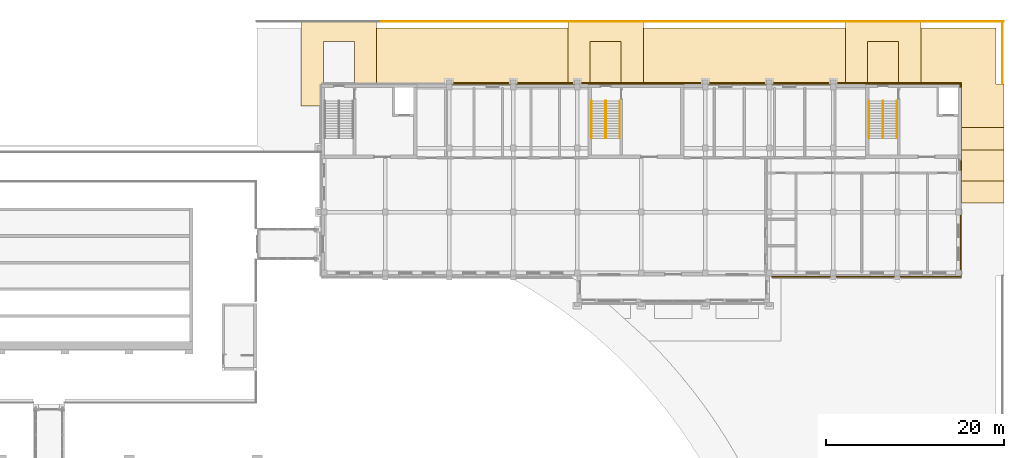
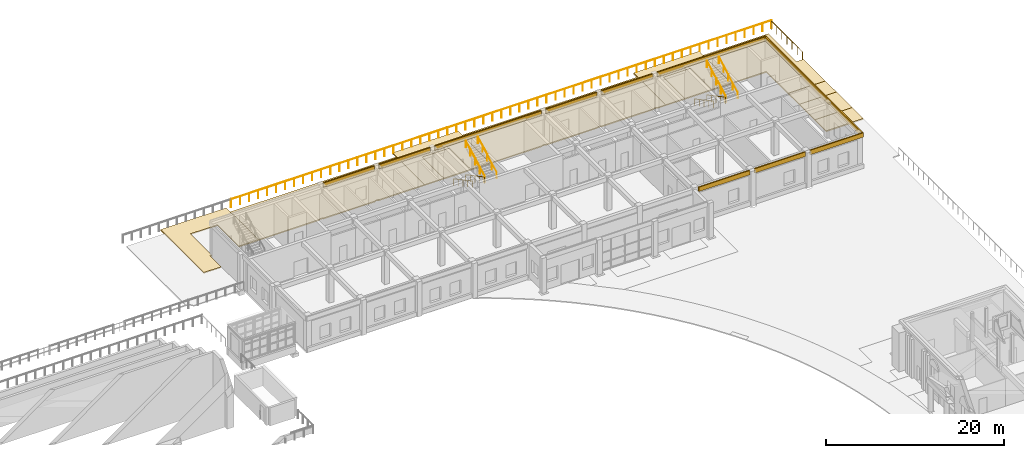
# One storey, part 130 of 131: 21 coverings, 14 railings.
"""IFC4 building model written with IfcOpenShell, lengths in metres."""

from ifc_helpers import new_model, si_unit, direction, frame, frame_2d, origin, origin_2d, place, context, subcontext, project, spatial, polyline, rectangle, circle, outline, extrude, material, layer, layer_set, type_object, element, save


model = new_model("IFC4")

# Units and contexts
model_context = context("Model", 3, precision=1e-05, world=origin(), true_north=direction((0.0, 1.0)))
body_context = subcontext(model_context, "Body", "Model", "MODEL_VIEW")
ifc_project = project(units=[si_unit("LENGTHUNIT", "METRE"), si_unit("AREAUNIT", "SQUARE_METRE"), si_unit("VOLUMEUNIT", "CUBIC_METRE"), si_unit("PLANEANGLEUNIT", "RADIAN"), si_unit("MASSUNIT", "GRAM", prefix="KILO")], contexts=[model_context])

# Site, building, storey
site_placement = place(None, origin())
site = spatial("IfcSite", under=ifc_project, at=site_placement, CompositionType="ELEMENT")
building_placement = place(site_placement, origin())
building = spatial("IfcBuilding", under=site, at=building_placement, Name="Alderwick Market Hall", CompositionType="ELEMENT")
storey_placement = place(building_placement, frame((0.0, 0.0, 4.800048828125)))
storey = spatial("IfcBuildingStorey", under=building, at=storey_placement, Name="L00", CompositionType="ELEMENT", Elevation=4.800048828125)

# Railings
ifc_material_1 = material(Name="Steel ASTM A500 Grade C", Category="steel")
railing_type_1 = type_object("IfcRailingType", Name="F Stair Handrail 900", PredefinedType="HANDRAIL", material=ifc_material_1)
for number, where, name in (
    (1, (188.820068359375, 149.300048828125, 0.14990234375), "F.rail.L00.B.1"),
    (2, (190.3798828125, 149.300048828125, 0.14990234375), "F.rail.L00.B.2"),
):
    element("IfcRailing", number, at=place(storey_placement, frame(where)), inside=storey, type_object=railing_type_1, Name=name, PredefinedType="HANDRAIL", context=body_context, shape_type="SweptSolid", body=[
        extrude(circle(Radius=0.02392578125, at=origin_2d()), frame((0.0, 0.0, 0.8759765625), z_axis=(0.0, -0.881477684796, 0.472225678258), x_axis=(1.0, 0.0, 0.0)), (0.0, 0.0, 1.0), 4.7646484375),
        extrude(circle(Radius=0.02099609375, at=origin_2d()), origin(), (0.0, 0.0, 1.0), 0.851806640625),
        extrude(circle(Radius=0.02099609375, at=origin_2d()), frame((0.0, -1.050048828125, 0.5625)), (0.0, 0.0, 1.0), 0.851806640625),
        extrude(circle(Radius=0.02099609375, at=origin_2d()), frame((0.0, -2.10009765625, 1.125)), (0.0, 0.0, 1.0), 0.851806640625),
        extrude(circle(Radius=0.02099609375, at=origin_2d()), frame((0.0, -3.14990234375, 1.6875)), (0.0, 0.0, 1.0), 0.851806640625),
        extrude(circle(Radius=0.02099609375, at=origin_2d()), frame((0.0, -4.199951171875, 2.25)), (0.0, 0.0, 1.0), 0.851806640625),
    ])
for number, where, name in (
    (3, (190.419921875, 145.10009765625, 2.550048828125), "F.rail.L00.B.3"),
    (4, (191.97998046875, 145.10009765625, 2.550048828125), "F.rail.L00.B.4"),
):
    element("IfcRailing", number, at=place(storey_placement, frame(where)), inside=storey, type_object=railing_type_1, Name=name, PredefinedType="HANDRAIL", context=body_context, shape_type="SweptSolid", body=[
        extrude(circle(Radius=0.02392578125, at=origin_2d()), frame((0.0, 0.0, 0.8759765625), z_axis=(0.0, 0.881477684796, 0.472225678258), x_axis=(-1.0, 0.0, 0.0)), (0.0, 0.0, 1.0), 4.7646484375),
        extrude(circle(Radius=0.02099609375, at=origin_2d()), origin(), (0.0, 0.0, 1.0), 0.851806640625),
        extrude(circle(Radius=0.02099609375, at=origin_2d()), frame((0.0, 1.050048828125, 0.5625)), (0.0, 0.0, 1.0), 0.851806640625),
        extrude(circle(Radius=0.02099609375, at=origin_2d()), frame((0.0, 2.10009765625, 1.125)), (0.0, 0.0, 1.0), 0.851806640625),
        extrude(circle(Radius=0.02099609375, at=origin_2d()), frame((0.0, 3.14990234375, 1.6875)), (0.0, 0.0, 1.0), 0.851806640625),
        extrude(circle(Radius=0.02099609375, at=origin_2d()), frame((0.0, 4.199951171875, 2.25)), (0.0, 0.0, 1.0), 0.851806640625),
    ])
for number, where, name in (
    (5, (220.02001953125, 149.300048828125, 0.14990234375), "F.rail.L00.C.1"),
    (6, (221.580078125, 149.300048828125, 0.14990234375), "F.rail.L00.C.2"),
):
    element("IfcRailing", number, at=place(storey_placement, frame(where)), inside=storey, type_object=railing_type_1, Name=name, PredefinedType="HANDRAIL", context=body_context, shape_type="SweptSolid", body=[
        extrude(circle(Radius=0.02392578125, at=origin_2d()), frame((0.0, 0.0, 0.8759765625), z_axis=(0.0, -0.881477684796, 0.472225678258), x_axis=(1.0, 0.0, 0.0)), (0.0, 0.0, 1.0), 4.7646484375),
        extrude(circle(Radius=0.02099609375, at=origin_2d()), origin(), (0.0, 0.0, 1.0), 0.851806640625),
        extrude(circle(Radius=0.02099609375, at=origin_2d()), frame((0.0, -1.050048828125, 0.5625)), (0.0, 0.0, 1.0), 0.851806640625),
        extrude(circle(Radius=0.02099609375, at=origin_2d()), frame((0.0, -2.10009765625, 1.125)), (0.0, 0.0, 1.0), 0.851806640625),
        extrude(circle(Radius=0.02099609375, at=origin_2d()), frame((0.0, -3.14990234375, 1.6875)), (0.0, 0.0, 1.0), 0.851806640625),
        extrude(circle(Radius=0.02099609375, at=origin_2d()), frame((0.0, -4.199951171875, 2.25)), (0.0, 0.0, 1.0), 0.851806640625),
    ])
for number, where, name in (
    (7, (221.6201171875, 145.10009765625, 2.550048828125), "F.rail.L00.C.3"),
    (8, (223.179931640625, 145.10009765625, 2.550048828125), "F.rail.L00.C.4"),
):
    element("IfcRailing", number, at=place(storey_placement, frame(where)), inside=storey, type_object=railing_type_1, Name=name, PredefinedType="HANDRAIL", context=body_context, shape_type="SweptSolid", body=[
        extrude(circle(Radius=0.02392578125, at=origin_2d()), frame((0.0, 0.0, 0.8759765625), z_axis=(0.0, 0.881477684796, 0.472225678258), x_axis=(-1.0, 0.0, 0.0)), (0.0, 0.0, 1.0), 4.7646484375),
        extrude(circle(Radius=0.02099609375, at=origin_2d()), origin(), (0.0, 0.0, 1.0), 0.851806640625),
        extrude(circle(Radius=0.02099609375, at=origin_2d()), frame((0.0, 1.050048828125, 0.5625)), (0.0, 0.0, 1.0), 0.851806640625),
        extrude(circle(Radius=0.02099609375, at=origin_2d()), frame((0.0, 2.10009765625, 1.125)), (0.0, 0.0, 1.0), 0.851806640625),
        extrude(circle(Radius=0.02099609375, at=origin_2d()), frame((0.0, 3.14990234375, 1.6875)), (0.0, 0.0, 1.0), 0.851806640625),
        extrude(circle(Radius=0.02099609375, at=origin_2d()), frame((0.0, 4.199951171875, 2.25)), (0.0, 0.0, 1.0), 0.851806640625),
    ])

# Coverings
ifc_material_2 = material(Name="Cast stone 5000 psi", Category="masonry")
ifc_layer_1 = layer(ifc_material_2, 0.14990234375)
ifc_layer_set_1 = layer_set([ifc_layer_1], Name="Cast stone 5000 psi")
covering_type_1 = type_object("IfcCoveringType", Name="F String Course Cast Stone 150x600", PredefinedType="CLADDING", material=ifc_layer_set_1)
for number, where, z_axis, x_axis, name in (
    (9, (215.699951171875, 129.52490234375, 4.199951171875), (0.0, 0.0, 1.0), (-1.0, 0.0, 0.0), "F.wall.L00.band.front.05"),
    (10, (222.89990234375, 129.52490234375, 4.199951171875), (0.0, 0.0, 1.0), (-1.0, 0.0, 0.0), "F.wall.L00.band.front.06"),
):
    element("IfcCovering", number, at=place(storey_placement, frame(where, z_axis=z_axis, x_axis=x_axis)), inside=storey, type_object=covering_type_1, Name=name, PredefinedType="CLADDING", context=body_context, shape_type="SweptSolid", body=[
        extrude(rectangle(XDim=6.599853515625, YDim=0.14990234375, at=frame_2d((3.2998046875, 0.0))), origin(), (0.0, 0.0, 1.0), 0.60009765625),
    ])
covering_1_placement = place(storey_placement, frame((230.39990234375, 129.52490234375, 4.199951171875), z_axis=(0.0, 0.0, 1.0), x_axis=(-1.0, 0.0, 0.0)))
element("IfcCovering", 11, at=covering_1_placement, inside=storey, type_object=covering_type_1, Name="F.wall.L00.band.front.07", PredefinedType="CLADDING", context=body_context, shape_type="SweptSolid", body=[
    extrude(rectangle(XDim=6.89990234375, YDim=0.14990234375, at=frame_2d((3.449951171875, 0.0))), origin(), (0.0, 0.0, 1.0), 0.60009765625),
])
for number, where, z_axis, x_axis, name in (
    (12, (173.10009765625, 151.27490234375, 4.199951171875), (0.0, 0.0, 1.0), (1.0, 0.0, 0.0), "F.wall.L00.band.back.02"),
    (13, (180.300048828125, 151.27490234375, 4.199951171875), (0.0, 0.0, 1.0), (1.0, 0.0, 0.0), "F.wall.L00.band.back.03"),
):
    element("IfcCovering", number, at=place(storey_placement, frame(where, z_axis=z_axis, x_axis=x_axis)), inside=storey, type_object=covering_type_1, Name=name, PredefinedType="CLADDING", context=body_context, shape_type="SweptSolid", body=[
        extrude(rectangle(XDim=6.599853515625, YDim=0.14990234375, at=frame_2d((3.2998046875, 0.0))), origin(), (0.0, 0.0, 1.0), 0.60009765625),
    ])
covering_2_placement = place(storey_placement, frame((187.5, 151.27490234375, 4.199951171875), z_axis=(0.0, 0.0, 1.0), x_axis=(1.0, 0.0, 0.0)))
element("IfcCovering", 14, at=covering_2_placement, inside=storey, type_object=covering_type_1, Name="F.wall.L00.band.back.04", PredefinedType="CLADDING", context=body_context, shape_type="SweptSolid", body=[
    extrude(rectangle(XDim=13.800048828125, YDim=0.14990234375, at=frame_2d((6.89990234375, 0.0))), origin(), (0.0, 0.0, 1.0), 0.60009765625),
])
covering_3_placement = place(storey_placement, frame((201.89990234375, 151.27490234375, 4.199951171875), z_axis=(0.0, 0.0, 1.0), x_axis=(1.0, 0.0, 0.0)))
element("IfcCovering", 15, at=covering_3_placement, inside=storey, type_object=covering_type_1, Name="F.wall.L00.band.back.05", PredefinedType="CLADDING", context=body_context, shape_type="SweptSolid", body=[
    extrude(rectangle(XDim=6.60009765625, YDim=0.14990234375, at=frame_2d((3.300048828125, 0.0))), origin(), (0.0, 0.0, 1.0), 0.60009765625),
])
covering_4_placement = place(storey_placement, frame((209.10009765625, 151.27490234375, 4.199951171875), z_axis=(0.0, 0.0, 1.0), x_axis=(1.0, 0.0, 0.0)))
element("IfcCovering", 16, at=covering_4_placement, inside=storey, type_object=covering_type_1, Name="F.wall.L00.band.back.06", PredefinedType="CLADDING", context=body_context, shape_type="SweptSolid", body=[
    extrude(rectangle(XDim=6.599853515625, YDim=0.14990234375, at=frame_2d((3.2998046875, 0.0))), origin(), (0.0, 0.0, 1.0), 0.60009765625),
])
covering_5_placement = place(storey_placement, frame((216.300048828125, 151.27490234375, 4.199951171875), z_axis=(0.0, 0.0, 1.0), x_axis=(1.0, 0.0, 0.0)))
element("IfcCovering", 17, at=covering_5_placement, inside=storey, type_object=covering_type_1, Name="F.wall.L00.band.back.07", PredefinedType="CLADDING", context=body_context, shape_type="SweptSolid", body=[
    extrude(rectangle(XDim=14.099853515625, YDim=0.14990234375, at=frame_2d((7.0498046875, 0.0))), origin(), (0.0, 0.0, 1.0), 0.60009765625),
])
covering_6_placement = place(storey_placement, frame((230.324951171875, 151.199951171875, 4.199951171875), z_axis=(0.0, 0.0, 1.0), x_axis=(0.0, -1.0, 0.0)))
element("IfcCovering", 18, at=covering_6_placement, inside=storey, type_object=covering_type_1, Name="F.wall.L00.band.east.01", PredefinedType="CLADDING", context=body_context, shape_type="SweptSolid", body=[
    extrude(rectangle(XDim=21.599853515625, YDim=0.14990234375, at=frame_2d((10.7998046875, 0.0))), origin(), (0.0, 0.0, 1.0), 0.60009765625),
])
ifc_material_3 = material(Name="Granite setts on concrete bed", Category="masonry")
ifc_layer_2 = layer(ifc_material_3, 0.14990234375)
ifc_layer_set_2 = layer_set([ifc_layer_2], Name="Granite setts on concrete bed")
covering_type_2 = type_object("IfcCoveringType", Name="S Forecourt Paving 150", PredefinedType="USERDEFINED", material=ifc_layer_set_2)
covering_7_placement = place(storey_placement, frame((0.0, 0.0, -0.150146484375)))
element("IfcCovering", 19, at=covering_7_placement, inside=storey, type_object=covering_type_2, Name="Forecourt 01", ObjectType="PAVING", PredefinedType="USERDEFINED", context=body_context, shape_type="SweptSolid", body=[
    extrude(outline(polyline([(230.39990234375, 140.300048828125), (235.199951171875, 140.300048828125), (235.199951171875, 143.800048828125), (230.39990234375, 143.800048828125), (230.39990234375, 140.300048828125)])), origin(), (0.0, 0.0, 1.0), 0.150146484375),
])
covering_8_placement = place(storey_placement, frame((0.0, 0.0, -0.150146484375)))
element("IfcCovering", 20, at=covering_8_placement, inside=storey, type_object=covering_type_2, Name="Forecourt 07", ObjectType="PAVING", PredefinedType="USERDEFINED", context=body_context, shape_type="SweptSolid", body=[
    extrude(outline(polyline([(223.35009765625, 151.199951171875), (223.35009765625, 156.0), (219.85009765625, 156.0), (219.85009765625, 151.199951171875), (223.35009765625, 151.199951171875)])), origin(), (0.0, 0.0, 1.0), 0.150146484375),
])
covering_9_placement = place(storey_placement, frame((0.0, 0.0, -0.150146484375)))
element("IfcCovering", 21, at=covering_9_placement, inside=storey, type_object=covering_type_2, Name="Forecourt 18", ObjectType="PAVING", PredefinedType="USERDEFINED", context=body_context, shape_type="SweptSolid", body=[
    extrude(outline(polyline([(192.14990234375, 156.0), (188.64990234375, 156.0), (188.64990234375, 151.199951171875), (192.14990234375, 151.199951171875), (192.14990234375, 156.0)])), origin(), (0.0, 0.0, 1.0), 0.150146484375),
])
ifc_material_4 = material(Name="Compacted gravel and turf on till")
ifc_layer_3 = layer(ifc_material_4, 0.14990234375)
ifc_layer_set_3 = layer_set([ifc_layer_3], Name="Compacted gravel and turf on till")
covering_type_3 = type_object("IfcCoveringType", Name="S Ground Paving 150", PredefinedType="USERDEFINED", material=ifc_layer_set_3)
covering_10_placement = place(storey_placement, frame((0.0, 0.0, -0.150146484375)))
element("IfcCovering", 22, at=covering_10_placement, inside=storey, type_object=covering_type_3, Name="Ground 04", ObjectType="GROUND", PredefinedType="USERDEFINED", context=body_context, shape_type="SweptSolid", body=[
    extrude(outline(polyline([(235.199951171875, 151.18994140625), (234.300048828125, 151.18994140625), (234.299072265625, 151.18994140625), (234.298095703125, 151.190185546875), (234.297119140625, 151.1904296875), (234.296142578125, 151.19091796875), (234.29541015625, 151.191162109375), (234.29443359375, 151.191650390625), (234.293701171875, 151.1923828125), (234.29296875, 151.19287109375), (234.292236328125, 151.193603515625), (234.291748046875, 151.1943359375), (234.291259765625, 151.1953125), (234.290771484375, 151.1962890625), (234.290283203125, 151.197021484375), (234.290283203125, 151.197998046875), (234.2900390625, 151.198974609375), (234.2900390625, 151.199951171875), (234.2900390625, 157.489990234375), (225.85009765625, 157.489990234375), (225.85009765625, 151.199951171875), (230.39990234375, 151.199951171875), (230.39990234375, 146.300048828125), (235.199951171875, 146.300048828125), (235.199951171875, 151.18994140625)])), origin(), (0.0, 0.0, 1.0), 0.150146484375),
])
covering_11_placement = place(storey_placement, frame((0.0, 0.0, -0.150146484375)))
element("IfcCovering", 23, at=covering_11_placement, inside=storey, type_object=covering_type_3, Name="Ground 06", ObjectType="GROUND", PredefinedType="USERDEFINED", context=body_context, shape_type="SweptSolid", body=[
    extrude(outline(polyline([(208.97216796875, 151.265625), (209.070556640625, 151.199951171875), (215.7294921875, 151.199951171875), (215.827880859375, 151.265625), (216.0, 151.300048828125), (216.172119140625, 151.265625), (216.2705078125, 151.199951171875), (217.35009765625, 151.199951171875), (217.35009765625, 157.489990234375), (194.64990234375, 157.489990234375), (194.64990234375, 151.199951171875), (201.329345703125, 151.199951171875), (201.427734375, 151.265625), (201.60009765625, 151.300048828125), (201.772216796875, 151.265625), (201.87060546875, 151.199951171875), (208.529296875, 151.199951171875), (208.627685546875, 151.265625), (208.800048828125, 151.300048828125), (208.97216796875, 151.265625)])), origin(), (0.0, 0.0, 1.0), 0.150146484375),
])
covering_12_placement = place(storey_placement, frame((0.0, 0.0, -0.150146484375)))
element("IfcCovering", 24, at=covering_12_placement, inside=storey, type_object=covering_type_3, Name="Ground 08", ObjectType="GROUND", PredefinedType="USERDEFINED", context=body_context, shape_type="SweptSolid", body=[
    extrude(outline(polyline([(179.7294921875, 151.199951171875), (179.827880859375, 151.265625), (180.0, 151.300048828125), (180.172119140625, 151.265625), (180.2705078125, 151.199951171875), (186.14990234375, 151.199951171875), (186.14990234375, 157.489990234375), (164.64990234375, 157.489990234375), (164.64990234375, 151.199951171875), (172.529296875, 151.199951171875), (172.627685546875, 151.265625), (172.800048828125, 151.300048828125), (172.97216796875, 151.265625), (173.070556640625, 151.199951171875), (179.7294921875, 151.199951171875)])), origin(), (0.0, 0.0, 1.0), 0.150146484375),
])

# Railings
railing_type_2 = type_object("IfcRailingType", Name="S Guard 1100", PredefinedType="GUARDRAIL", material=ifc_material_1)
for number, where, name in (
    (25, (165.199951171875, 158.25, 0.0), "Guard N02b"),
    (26, (179.199951171875, 158.25, 0.0), "Guard N02c"),
    (27, (193.199951171875, 158.25, 0.0), "Guard N02d"),
    (28, (207.199951171875, 158.25, 0.0), "Guard N02e"),
):
    element("IfcRailing", number, at=place(storey_placement, frame(where)), inside=storey, type_object=railing_type_2, Name=name, PredefinedType="GUARDRAIL", context=body_context, shape_type="SweptSolid", body=[
        extrude(circle(Radius=0.02490234375, at=origin_2d()), frame((0.0, 0.0, 1.0751953125), z_axis=(1.0, 0.0, 0.0), x_axis=(0.0, 1.0, 0.0)), (0.0, 0.0, 1.0), 14.0),
        extrude(circle(Radius=0.02001953125, at=origin_2d()), origin(), (0.0, 0.0, 1.0), 1.050048828125),
        extrude(circle(Radius=0.02001953125, at=origin_2d()), frame((1.166748046875, 0.0, 0.0)), (0.0, 0.0, 1.0), 1.050048828125),
        extrude(circle(Radius=0.02001953125, at=origin_2d()), frame((2.333251953125, 0.0, 0.0)), (0.0, 0.0, 1.0), 1.050048828125),
        extrude(circle(Radius=0.02001953125, at=origin_2d()), frame((3.5, 0.0, 0.0)), (0.0, 0.0, 1.0), 1.050048828125),
        extrude(circle(Radius=0.02001953125, at=origin_2d()), frame((4.666748046875, 0.0, 0.0)), (0.0, 0.0, 1.0), 1.050048828125),
        extrude(circle(Radius=0.02001953125, at=origin_2d()), frame((5.833251953125, 0.0, 0.0)), (0.0, 0.0, 1.0), 1.050048828125),
        extrude(circle(Radius=0.02001953125, at=origin_2d()), frame((7.0, 0.0, 0.0)), (0.0, 0.0, 1.0), 1.050048828125),
        extrude(circle(Radius=0.02001953125, at=origin_2d()), frame((8.166748046875, 0.0, 0.0)), (0.0, 0.0, 1.0), 1.050048828125),
        extrude(circle(Radius=0.02001953125, at=origin_2d()), frame((9.333251953125, 0.0, 0.0)), (0.0, 0.0, 1.0), 1.050048828125),
        extrude(circle(Radius=0.02001953125, at=origin_2d()), frame((10.5, 0.0, 0.0)), (0.0, 0.0, 1.0), 1.050048828125),
        extrude(circle(Radius=0.02001953125, at=origin_2d()), frame((11.666748046875, 0.0, 0.0)), (0.0, 0.0, 1.0), 1.050048828125),
        extrude(circle(Radius=0.02001953125, at=origin_2d()), frame((12.833251953125, 0.0, 0.0)), (0.0, 0.0, 1.0), 1.050048828125),
        extrude(circle(Radius=0.02001953125, at=origin_2d()), frame((14.0, 0.0, 0.0)), (0.0, 0.0, 1.0), 1.050048828125),
    ])
railing_1_placement = place(storey_placement, frame((221.199951171875, 158.25, 0.0)))
element("IfcRailing", 29, at=railing_1_placement, inside=storey, type_object=railing_type_2, Name="Guard N02f", PredefinedType="GUARDRAIL", context=body_context, shape_type="SweptSolid", body=[
    extrude(circle(Radius=0.02490234375, at=origin_2d()), frame((0.0, 0.0, 1.0751953125), z_axis=(1.0, 0.0, 0.0), x_axis=(0.0, 1.0, 0.0)), (0.0, 0.0, 1.0), 13.949951171875),
    extrude(circle(Radius=0.02001953125, at=origin_2d()), origin(), (0.0, 0.0, 1.0), 1.050048828125),
    extrude(circle(Radius=0.02001953125, at=origin_2d()), frame((1.16259765625, 0.0, 0.0)), (0.0, 0.0, 1.0), 1.050048828125),
    extrude(circle(Radius=0.02001953125, at=origin_2d()), frame((2.324951171875, 0.0, 0.0)), (0.0, 0.0, 1.0), 1.050048828125),
    extrude(circle(Radius=0.02001953125, at=origin_2d()), frame((3.487548828125, 0.0, 0.0)), (0.0, 0.0, 1.0), 1.050048828125),
    extrude(circle(Radius=0.02001953125, at=origin_2d()), frame((4.64990234375, 0.0, 0.0)), (0.0, 0.0, 1.0), 1.050048828125),
    extrude(circle(Radius=0.02001953125, at=origin_2d()), frame((5.8125, 0.0, 0.0)), (0.0, 0.0, 1.0), 1.050048828125),
    extrude(circle(Radius=0.02001953125, at=origin_2d()), frame((6.97509765625, 0.0, 0.0)), (0.0, 0.0, 1.0), 1.050048828125),
    extrude(circle(Radius=0.02001953125, at=origin_2d()), frame((8.137451171875, 0.0, 0.0)), (0.0, 0.0, 1.0), 1.050048828125),
    extrude(circle(Radius=0.02001953125, at=origin_2d()), frame((9.300048828125, 0.0, 0.0)), (0.0, 0.0, 1.0), 1.050048828125),
    extrude(circle(Radius=0.02001953125, at=origin_2d()), frame((10.46240234375, 0.0, 0.0)), (0.0, 0.0, 1.0), 1.050048828125),
    extrude(circle(Radius=0.02001953125, at=origin_2d()), frame((11.625, 0.0, 0.0)), (0.0, 0.0, 1.0), 1.050048828125),
    extrude(circle(Radius=0.02001953125, at=origin_2d()), frame((12.787353515625, 0.0, 0.0)), (0.0, 0.0, 1.0), 1.050048828125),
    extrude(circle(Radius=0.02001953125, at=origin_2d()), frame((13.949951171875, 0.0, 0.0)), (0.0, 0.0, 1.0), 1.050048828125),
])
railing_2_placement = place(storey_placement, frame((235.050048828125, 151.199951171875, 0.0)))
element("IfcRailing", 30, at=railing_2_placement, inside=storey, type_object=railing_type_2, Name="Guard E05a", PredefinedType="GUARDRAIL", context=body_context, shape_type="SweptSolid", body=[
    extrude(circle(Radius=0.02490234375, at=origin_2d()), frame((0.0, 0.0, 1.0751953125), z_axis=(0.0, 1.0, 0.0), x_axis=(-1.0, 0.0, 0.0)), (0.0, 0.0, 1.0), 6.900146484375),
    extrude(circle(Radius=0.02001953125, at=origin_2d()), origin(), (0.0, 0.0, 1.0), 1.050048828125),
    extrude(circle(Radius=0.02001953125, at=origin_2d()), frame((0.0, 1.14990234375, 0.0)), (0.0, 0.0, 1.0), 1.050048828125),
    extrude(circle(Radius=0.02001953125, at=origin_2d()), frame((0.0, 2.300048828125, 0.0)), (0.0, 0.0, 1.0), 1.050048828125),
    extrude(circle(Radius=0.02001953125, at=origin_2d()), frame((0.0, 3.4501953125, 0.0)), (0.0, 0.0, 1.0), 1.050048828125),
    extrude(circle(Radius=0.02001953125, at=origin_2d()), frame((0.0, 4.60009765625, 0.0)), (0.0, 0.0, 1.0), 1.050048828125),
    extrude(circle(Radius=0.02001953125, at=origin_2d()), frame((0.0, 5.75, 0.0)), (0.0, 0.0, 1.0), 1.050048828125),
    extrude(circle(Radius=0.02001953125, at=origin_2d()), frame((0.0, 6.900146484375, 0.0)), (0.0, 0.0, 1.0), 1.050048828125),
])

# Coverings
ifc_material_5 = material(Name="Turf on topsoil")
ifc_layer_4 = layer(ifc_material_5, 0.14990234375)
ifc_layer_set_4 = layer_set([ifc_layer_4], Name="Turf on topsoil")
covering_type_4 = type_object("IfcCoveringType", Name="S Lawn Turf 150", PredefinedType="USERDEFINED", material=ifc_layer_set_4)
covering_13_placement = place(storey_placement, frame((0.0, 0.0, -0.150146484375)))
element("IfcCovering", 31, at=covering_13_placement, inside=storey, type_object=covering_type_4, Name="Lawn 01", ObjectType="LAWN", PredefinedType="USERDEFINED", context=body_context, shape_type="SweptSolid", body=[
    extrude(outline(polyline([(230.39990234375, 146.300048828125), (230.39990234375, 143.800048828125), (235.199951171875, 143.800048828125), (235.199951171875, 146.300048828125), (230.39990234375, 146.300048828125)])), origin(), (0.0, 0.0, 1.0), 0.150146484375),
])
covering_14_placement = place(storey_placement, frame((0.0, 0.0, -0.150146484375)))
element("IfcCovering", 32, at=covering_14_placement, inside=storey, type_object=covering_type_4, Name="Lawn 02", ObjectType="LAWN", PredefinedType="USERDEFINED", context=body_context, shape_type="SweptSolid", body=[
    extrude(outline(polyline([(230.39990234375, 140.300048828125), (230.39990234375, 137.800048828125), (235.199951171875, 137.800048828125), (235.199951171875, 140.300048828125), (230.39990234375, 140.300048828125)])), origin(), (0.0, 0.0, 1.0), 0.150146484375),
])
covering_15_placement = place(storey_placement, frame((0.0, 0.0, -0.150146484375)))
element("IfcCovering", 33, at=covering_15_placement, inside=storey, type_object=covering_type_4, Name="Lawn 10", ObjectType="LAWN", PredefinedType="USERDEFINED", context=body_context, shape_type="SweptSolid", body=[
    extrude(outline(polyline([(217.35009765625, 151.199951171875), (219.85009765625, 151.199951171875), (219.85009765625, 156.0), (223.35009765625, 156.0), (223.35009765625, 151.199951171875), (225.85009765625, 151.199951171875), (225.85009765625, 158.39990234375), (217.35009765625, 158.39990234375), (217.35009765625, 151.199951171875)])), origin(), (0.0, 0.0, 1.0), 0.150146484375),
])
covering_16_placement = place(storey_placement, frame((0.0, 0.0, -0.150146484375)))
element("IfcCovering", 34, at=covering_16_placement, inside=storey, type_object=covering_type_4, Name="Lawn 13", ObjectType="LAWN", PredefinedType="USERDEFINED", context=body_context, shape_type="SweptSolid", body=[
    extrude(outline(polyline([(192.14990234375, 151.199951171875), (194.64990234375, 151.199951171875), (194.64990234375, 158.39990234375), (186.14990234375, 158.39990234375), (186.14990234375, 151.199951171875), (188.64990234375, 151.199951171875), (188.64990234375, 156.0), (192.14990234375, 156.0), (192.14990234375, 151.199951171875)])), origin(), (0.0, 0.0, 1.0), 0.150146484375),
])
covering_17_placement = place(storey_placement, frame((0.0, 0.0, -0.150146484375)))
element("IfcCovering", 35, at=covering_17_placement, inside=storey, type_object=covering_type_4, Name="Lawn 16", ObjectType="LAWN", PredefinedType="USERDEFINED", context=body_context, shape_type="SweptSolid", body=[
    extrude(outline(polyline([(164.64990234375, 158.39990234375), (156.14990234375, 158.39990234375), (156.14990234375, 148.699951171875), (158.39990234375, 148.699951171875), (158.39990234375, 151.199951171875), (158.64990234375, 151.199951171875), (158.64990234375, 156.0), (162.14990234375, 156.0), (162.14990234375, 151.199951171875), (164.64990234375, 151.199951171875), (164.64990234375, 158.39990234375)])), origin(), (0.0, 0.0, 1.0), 0.150146484375),
])

save(model, "model.ifc")
